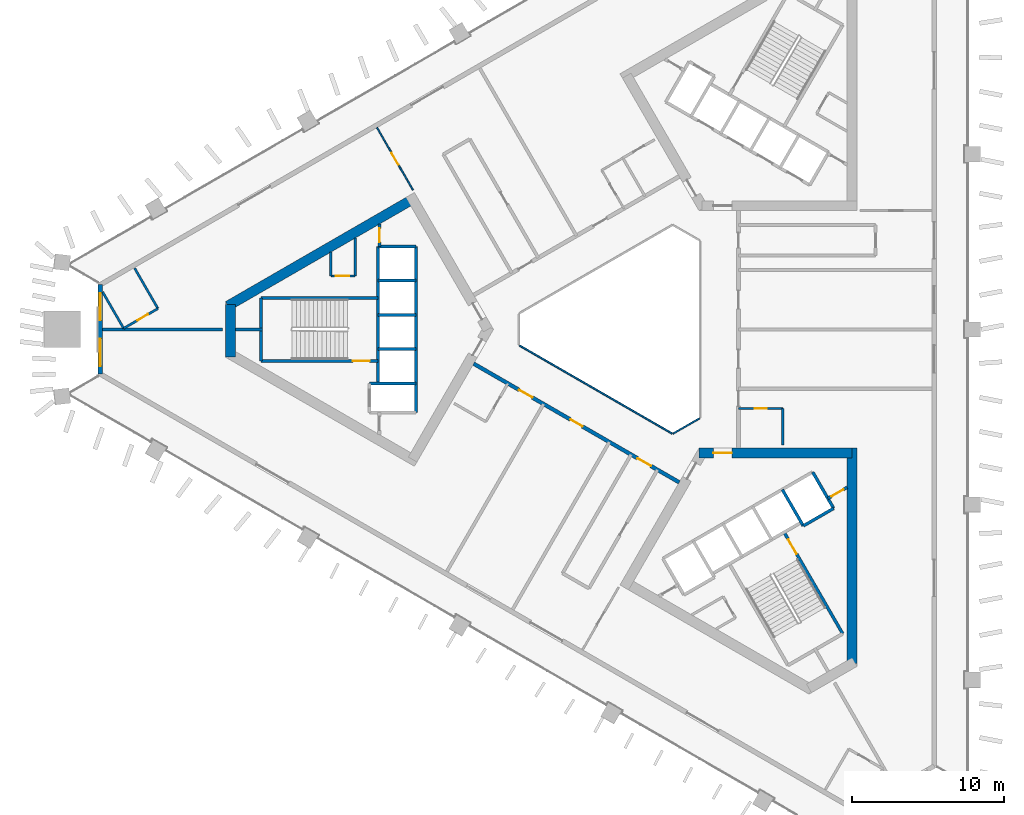
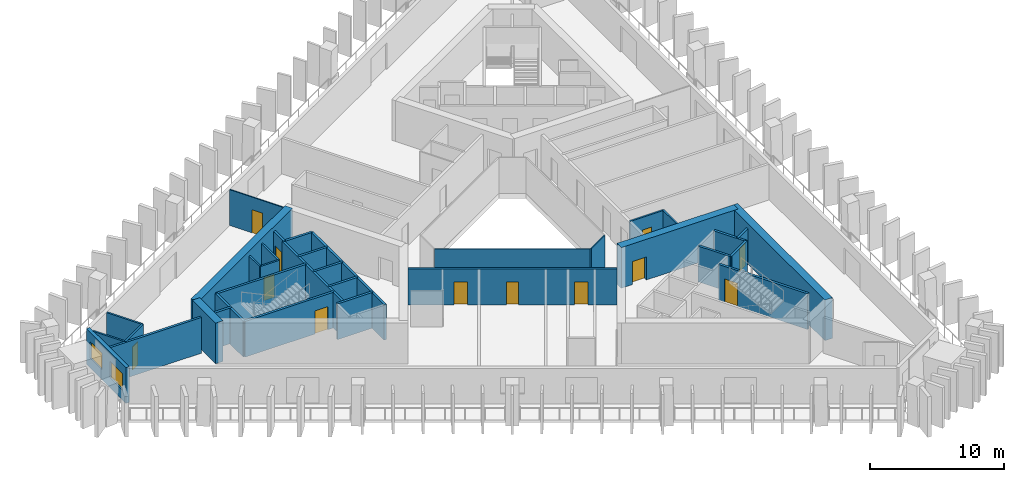
# One storey, part 3 of 10: 35 walls, 12 doors, 2 windows, 14 openings.
"""IFC4 building model written with IfcOpenShell, lengths in metres."""

import ifcopenshell
import ifcopenshell.guid

model = None  # the IFC model being written
_history = None  # IfcOwnerHistory: only IFC2X3 demands one
_inside = {}  # id of a spatial element -> (the spatial element, [elements in it])
_under = {}  # id of a project, library or spatial element -> (it, [spatial elements below it])
_declared = {}  # id of a project -> (the project, [libraries it declares])
_typed = {}  # id of a type object -> (the type object, [elements of that type])
_made_of = {}  # id of a material, layer set ... -> (it, [elements and type objects made of it])


def new_model(schema):
    """Start an empty IFC model of exactly this schema.

    Asked for "IFC4X3", IfcOpenShell would pick the latest addendum, in which some entities
    have other attributes; the version numbers below select the first issue.
    IFC2X3 requires an IfcOwnerHistory on every rooted entity: one is made here for all.
    """
    global model, _history
    if schema == "IFC4X3":
        model = ifcopenshell.file(schema_version=(4, 3, 0, 0))
    else:
        model = ifcopenshell.file(schema=schema)
    _inside.clear()
    _under.clear()
    _declared.clear()
    _typed.clear()
    _made_of.clear()
    _history = None
    if model.schema == "IFC2X3":
        org = make("IfcOrganization", Name="unknown")
        user = make(
            "IfcPersonAndOrganization",
            ThePerson=make("IfcPerson", FamilyName="unknown"),
            TheOrganization=org,
        )
        app = make(
            "IfcApplication",
            ApplicationDeveloper=org,
            Version="unknown",
            ApplicationFullName="unknown",
            ApplicationIdentifier="unknown",
        )
        _history = make(
            "IfcOwnerHistory",
            OwningUser=user,
            OwningApplication=app,
            ChangeAction="ADDED",
            CreationDate=0,
        )
    return model


def make(cls, **values):
    """One entity of the class cls with the attributes given. An attribute that is None is left unset."""
    return model.create_entity(
        cls, **{name: value for name, value in values.items() if value is not None}
    )


def rooted(cls, **values):
    """An entity with a GlobalId (a new one), such as an element, a storey or a relation."""
    return make(cls, GlobalId=ifcopenshell.guid.new(), OwnerHistory=_history, **values)


def si_unit(unit_type, name, prefix=None):
    """IfcSIUnit, for example si_unit("LENGTHUNIT", "METRE", prefix="MILLI")."""
    return make("IfcSIUnit", UnitType=unit_type, Prefix=prefix, Name=name)


def assignment(units):
    """IfcUnitAssignment: the units of a project."""
    return None if units is None else make("IfcUnitAssignment", Units=units)


def point(xyz):
    """IfcCartesianPoint."""
    return None if xyz is None else make("IfcCartesianPoint", Coordinates=xyz)


def direction(xyz):
    """IfcDirection."""
    return None if xyz is None else make("IfcDirection", DirectionRatios=xyz)


def frame(location, z_axis=None, x_axis=None):
    """IfcAxis2Placement3D, a coordinate frame: its origin and axes. An axis left out is left unset."""
    return make(
        "IfcAxis2Placement3D",
        Location=point(location),
        Axis=direction(z_axis),
        RefDirection=direction(x_axis),
    )


def frame_2d(location, x_axis=None):
    """IfcAxis2Placement2D, a coordinate frame in the plane: its origin and x axis."""
    return make(
        "IfcAxis2Placement2D", Location=point(location), RefDirection=direction(x_axis)
    )


def origin():
    """The frame at (0, 0, 0) with its axes left unset."""
    return frame((0.0, 0.0, 0.0))


def place(relative_to, where):
    """IfcLocalPlacement: puts the frame where relative to a parent placement (None: the world)."""
    return make(
        "IfcLocalPlacement", PlacementRelTo=relative_to, RelativePlacement=where
    )


def context(
    kind, dimensions, precision=None, world=None, true_north=None, identifier=None
):
    """IfcGeometricRepresentationContext, for example the 3D "Model" context."""
    return make(
        "IfcGeometricRepresentationContext",
        ContextIdentifier=identifier,
        ContextType=kind,
        CoordinateSpaceDimension=dimensions,
        Precision=precision,
        WorldCoordinateSystem=world,
        TrueNorth=true_north,
    )


def subcontext(parent, identifier, kind, view, scale=None):
    """IfcGeometricRepresentationSubContext, for example "Body" below "Model"."""
    return make(
        "IfcGeometricRepresentationSubContext",
        ContextIdentifier=identifier,
        ContextType=kind,
        ParentContext=parent,
        TargetScale=scale,
        TargetView=view,
    )


def project(units=None, contexts=None):
    """IfcProject with its units and contexts."""
    return rooted(
        "IfcProject",
        Name="project",
        RepresentationContexts=contexts,
        UnitsInContext=assignment(units),
    )


def spatial(cls, under=None, at=None, **own):
    """A site, building, storey or space (cls), placed at a placement, below another one or the project."""
    s = rooted(cls, ObjectPlacement=at, **own)
    if under is not None:
        _under.setdefault(under.id(), (under, []))[1].append(s)
    return s


def profile(cls, at=None, kind="AREA", **sizes):
    """A parametric profile (cls). Its sizes go by their IFC names, for example OverallWidth=200.0."""
    return make(cls, ProfileType=kind, Position=at, **sizes)


def rectangle(**sizes):
    """IfcRectangleProfileDef."""
    return profile("IfcRectangleProfileDef", **sizes)


def extrude(swept, where, along, depth):
    """IfcExtrudedAreaSolid: the profile swept, set in the frame where, extruded along a direction by depth."""
    return make(
        "IfcExtrudedAreaSolid",
        SweptArea=swept,
        Position=where,
        ExtrudedDirection=direction(along),
        Depth=depth,
    )


def shape(context_of_items, identifier, shape_type, items):
    """IfcShapeRepresentation: the items that make up one representation, for example the "Body"."""
    return make(
        "IfcShapeRepresentation",
        ContextOfItems=context_of_items,
        RepresentationIdentifier=identifier,
        RepresentationType=shape_type,
        Items=items,
    )


def material(Name=None, Category=None):
    """IfcMaterial."""
    return make("IfcMaterial", Name=Name, Category=Category)


def layer(
    of_material, thickness, ventilated=None, Name=None, Category=None, Priority=None
):
    """IfcMaterialLayer: one layer of a wall or slab, of a material (None: an air gap)."""
    return make(
        "IfcMaterialLayer",
        Material=of_material,
        LayerThickness=thickness,
        IsVentilated=ventilated,
        Name=Name,
        Category=Category,
        Priority=Priority,
    )


def layer_set(layers, Name=None):
    """IfcMaterialLayerSet."""
    return make("IfcMaterialLayerSet", MaterialLayers=layers, LayerSetName=Name)


def made_of(thing, what):
    """Note that an element or type object is made of a material, layer set ...; save() writes the relation."""
    if what is not None:
        _made_of.setdefault(what.id(), (what, []))[1].append(thing)
    return thing


def type_object(cls, material=None, **own):
    """A type object (cls), such as IfcWallType, which elements share."""
    return made_of(rooted(cls, **own), material)


def element(
    cls,
    number,
    at=None,
    inside=None,
    cuts=None,
    type_object=None,
    material=None,
    context=None,
    identifier="Body",
    shape_type=None,
    held_by="IfcProductDefinitionShape",
    body=None,
    shapes=None,
    **own,
):
    """One element of the class cls, such as IfcWall. Its Tag is "e" and its number.

    at: its placement. inside: the storey or other place that contains it. cuts: it is an
    opening in that element (IfcRelVoidsElement). A single representation is given by context,
    identifier, shape_type and body (its items); several are given by shapes. held_by: the class
    of the entity that holds the representations. save() writes the other relations.
    """
    e = rooted(cls, Tag="e%d" % number, ObjectPlacement=at, **own)
    if body is not None:
        shapes = [shape(context, identifier, shape_type, body)]
    if shapes is not None:
        e.Representation = make(held_by, Representations=shapes)
    if inside is not None:
        _inside.setdefault(inside.id(), (inside, []))[1].append(e)
    if cuts is not None:
        rooted(
            "IfcRelVoidsElement", RelatingBuildingElement=cuts, RelatedOpeningElement=e
        )
    if type_object is not None:
        _typed.setdefault(type_object.id(), (type_object, []))[1].append(e)
    return made_of(e, material)


def fill(opening, filler):
    """IfcRelFillsElement: the door or window that sits in an opening."""
    return rooted(
        "IfcRelFillsElement",
        RelatingOpeningElement=opening,
        RelatedBuildingElement=filler,
    )


def aggregate(whole, parts):
    """IfcRelAggregates: a whole, such as a stair, and the parts it consists of."""
    return rooted("IfcRelAggregates", RelatingObject=whole, RelatedObjects=parts)


def save(model, path):
    """Write the relations noted so far, then the file.

    IfcRelAggregates (storeys below a building ...), IfcRelContainedInSpatialStructure (elements
    in a storey), IfcRelDefinesByType, IfcRelAssociatesMaterial and IfcRelDeclares: one each for
    every whole, place, type object, material and project.
    """
    for whole, parts in _under.values():
        aggregate(whole, parts)
    for where, things in _inside.values():
        rooted(
            "IfcRelContainedInSpatialStructure",
            RelatedElements=things,
            RelatingStructure=where,
        )
    for kind, things in _typed.values():
        rooted("IfcRelDefinesByType", RelatedObjects=things, RelatingType=kind)
    for what, things in _made_of.values():
        rooted("IfcRelAssociatesMaterial", RelatedObjects=things, RelatingMaterial=what)
    for by, libraries in _declared.values():
        rooted("IfcRelDeclares", RelatingContext=by, RelatedDefinitions=libraries)
    model.write(path)


model = new_model("IFC4")

# Units and contexts
model_context = context("Model", 3, precision=1e-05, world=origin(), true_north=direction((0.0, 1.0)))
body_context = subcontext(model_context, "Body", "Model", "MODEL_VIEW")
ifc_project = project(units=[si_unit("LENGTHUNIT", "METRE"), si_unit("AREAUNIT", "SQUARE_METRE"), si_unit("VOLUMEUNIT", "CUBIC_METRE"), si_unit("PLANEANGLEUNIT", "RADIAN"), si_unit("MASSUNIT", "GRAM", prefix="KILO")], contexts=[model_context])

# Site, building, storey
site_placement = place(None, origin())
site = spatial("IfcSite", under=ifc_project, at=site_placement, CompositionType="ELEMENT")
building_placement = place(site_placement, origin())
building = spatial("IfcBuilding", under=site, at=building_placement, Name="Jabali Bay Hotel Tower and Convention Centre", CompositionType="ELEMENT")
storey_placement = place(building_placement, frame((0.0, 0.0, 106.800048828125)))
storey = spatial("IfcBuildingStorey", under=building, at=storey_placement, Name="L25", CompositionType="ELEMENT", Elevation=106.800048828125)

# Walls
ifc_material_1 = material(Name="Fire-resistant glazing", Category="glass")
ifc_layer_1 = layer(ifc_material_1, 0.10009765625)
ifc_layer_set_1 = layer_set([ifc_layer_1], Name="Fire-resistant glazing")
wall_type_1 = type_object("IfcWallType", Name="Atrium glazed screen 100", PredefinedType="PARTITIONING", material=ifc_layer_set_1)
wall_1_placement = place(storey_placement, frame((67.7021484375, 78.947998046875, 0.0), z_axis=(0.0, 0.0, 1.0), x_axis=(0.866026658274, -0.499997827154, 0.0)))
element("IfcWall", 1, at=wall_1_placement, inside=storey, type_object=wall_type_1, Name="Atrium screen 5 L25", PredefinedType="PARTITIONING", context=body_context, shape_type="SweptSolid", body=[
    extrude(rectangle(XDim=11.58837890625, YDim=0.10009765625, at=frame_2d((5.794189453125, 0.0))), origin(), (0.0, 0.0, 1.0), 3.25),
])
wall_2_placement = place(storey_placement, frame((77.7978515625, 73.15380859375, 0.0), z_axis=(0.0, 0.0, 1.0), x_axis=(0.866041268327, 0.499972520799, 0.0)))
element("IfcWall", 2, at=wall_2_placement, inside=storey, type_object=wall_type_1, Name="Atrium screen 6 L25", PredefinedType="PARTITIONING", context=body_context, shape_type="SweptSolid", body=[
    extrude(rectangle(XDim=2.0, YDim=0.10009765625, at=frame_2d((1.0, 0.0))), origin(), (0.0, 0.0, 1.0), 3.25),
])
ifc_material_2 = material(Name="Concrete C40", Category="concrete")
ifc_layer_2 = layer(ifc_material_2, 0.199951171875)
ifc_layer_set_2 = layer_set([ifc_layer_2], Name="Concrete C40")
wall_type_2 = type_object("IfcWallType", Name="Core partition wall 200", PredefinedType="PARTITIONING", material=ifc_layer_set_2)
wall_3_placement = place(storey_placement, frame((50.820068359375, 80.0, 0.0), z_axis=(0.0, 0.0, 1.0), x_axis=(-1.0, 0.0, 0.0)))
element("IfcWall", 3, at=wall_3_placement, inside=storey, type_object=wall_type_2, Name="Core wall 0.5 L25", PredefinedType="PARTITIONING", context=body_context, shape_type="SweptSolid", body=[
    extrude(rectangle(XDim=1.773193359375, YDim=0.199951171875, at=frame_2d((0.88671875, 0.0))), origin(), (0.0, 0.0, 1.0), 3.25),
])

# Wall, opening, door
wall_4_placement = place(storey_placement, frame((58.52001953125, 86.916748046875, 0.0), z_axis=(0.0, 0.0, 1.0), x_axis=(0.0, -1.0, 0.0)))
wall_4 = element("IfcWall", 4, at=wall_4_placement, inside=storey, type_object=wall_type_2, Name="Core wall 0.11 L25", PredefinedType="PARTITIONING", context=body_context, shape_type="SweptSolid", body=[
    extrude(rectangle(XDim=1.466796875, YDim=0.199951171875, at=frame_2d((0.7333984375, 0.0))), origin(), (0.0, 0.0, 1.0), 3.25),
])
opening_1_placement = place(wall_4_placement, frame((0.283447265625, 0.0, 0.0)))
opening_1 = element("IfcOpeningElement", 5, at=opening_1_placement, cuts=wall_4, Name="Opening D567", PredefinedType="OPENING", context=body_context, shape_type="SweptSolid", body=[
    extrude(rectangle(XDim=0.89990234375, YDim=2.10009765625, at=frame_2d((0.449951171875, 1.050048828125))), frame((0.0, 0.1103515625, 0.0), z_axis=(0.0, -1.0, 0.0), x_axis=(1.0, 0.0, 0.0)), (0.0, 0.0, 1.0), 0.220947265625),
])
ifc_material_3 = material(Name="Fire-rated steel door", Category="steel")
door_type_1 = type_object("IfcDoorType", Name="Vestibule fire door 900 x 2100", OperationType="NOTDEFINED", PredefinedType="NOTDEFINED", material=ifc_material_3)
door_1_placement = place(opening_1_placement, origin())
door_1 = element("IfcDoor", 6, at=door_1_placement, inside=storey, type_object=door_type_1, Name="Vestibule fire door D567", OperationType="SINGLE_SWING_LEFT", OverallHeight=2.10009765625, OverallWidth=0.89990234375, PredefinedType="NOTDEFINED", context=body_context, shape_type="SweptSolid", body=[
    extrude(rectangle(XDim=0.89990234375, YDim=2.10009765625, at=frame_2d((0.449951171875, 1.050048828125))), frame((0.0, 0.02490234375, 0.0), z_axis=(0.0, -1.0, 0.0), x_axis=(1.0, 0.0, 0.0)), (0.0, 0.0, 1.0), 0.050048828125),
])
fill(opening_1, door_1)

wall_5_placement = place(storey_placement, frame((87.964599609375, 68.89453125, 0.0), z_axis=(0.0, 0.0, 1.0), x_axis=(0.866054810376, 0.49994906283, 0.0)))
wall_5 = element("IfcWall", 7, at=wall_5_placement, inside=storey, type_object=wall_type_2, Name="Core wall 2.12 L25", PredefinedType="PARTITIONING", context=body_context, shape_type="SweptSolid", body=[
    extrude(rectangle(XDim=1.461181640625, YDim=0.199951171875, at=frame_2d((0.73046875, 0.0))), origin(), (0.0, 0.0, 1.0), 3.25),
])
opening_2_placement = place(wall_5_placement, frame((0.280517578125, 0.0, 0.0)))
opening_2 = element("IfcOpeningElement", 8, at=opening_2_placement, cuts=wall_5, Name="Opening D578", PredefinedType="OPENING", context=body_context, shape_type="SweptSolid", body=[
    extrude(rectangle(XDim=0.89990234375, YDim=2.10009765625, at=frame_2d((0.449951171875, 1.050048828125))), frame((0.0, 0.1103515625, 0.0), z_axis=(0.0, -1.0, 0.0), x_axis=(1.0, 0.0, 0.0)), (0.0, 0.0, 1.0), 0.220947265625),
])
door_2_placement = place(opening_2_placement, origin())
door_2 = element("IfcDoor", 9, at=door_2_placement, inside=storey, type_object=door_type_1, Name="Vestibule fire door D578", OperationType="SINGLE_SWING_LEFT", OverallHeight=2.10009765625, OverallWidth=0.89990234375, PredefinedType="NOTDEFINED", context=body_context, shape_type="SweptSolid", body=[
    extrude(rectangle(XDim=0.89990234375, YDim=2.10009765625, at=frame_2d((0.449951171875, 1.050048828125))), frame((0.0, 0.02490234375, 0.0), z_axis=(0.0, -1.0, 0.0), x_axis=(1.0, 0.0, 0.0)), (0.0, 0.0, 1.0), 0.050048828125),
])
fill(opening_2, door_2)

ifc_material_4 = material(Name="Fire-rated board partition")
ifc_layer_3 = layer(ifc_material_4, 0.14990234375)
ifc_layer_set_3 = layer_set([ifc_layer_3], Name="Fire-rated board partition")
wall_type_3 = type_object("IfcWallType", Name="Core room partition 150", PredefinedType="PARTITIONING", material=ifc_layer_set_3)
wall_6_placement = place(storey_placement, frame((56.919921875, 83.5, 0.0), z_axis=(0.0, 0.0, 1.0), x_axis=(-1.0, 0.0, 0.0)))
wall_6 = element("IfcWall", 10, at=wall_6_placement, inside=storey, type_object=wall_type_3, Name="Core wall 0.1 L25", PredefinedType="PARTITIONING", context=body_context, shape_type="SweptSolid", body=[
    extrude(rectangle(XDim=1.599853515625, YDim=0.14990234375, at=frame_2d((0.7998046875, 0.0))), origin(), (0.0, 0.0, 1.0), 3.25),
])
opening_3_placement = place(wall_6_placement, frame((0.387451171875, 0.0, 0.0)))
opening_3 = element("IfcOpeningElement", 11, at=opening_3_placement, cuts=wall_6, Name="Opening D569", PredefinedType="OPENING", context=body_context, shape_type="SweptSolid", body=[
    extrude(rectangle(XDim=0.89990234375, YDim=2.10009765625, at=frame_2d((0.449951171875, 1.050048828125))), frame((0.0, 0.08544921875, 0.0), z_axis=(0.0, -1.0, 0.0), x_axis=(1.0, 0.0, 0.0)), (0.0, 0.0, 1.0), 0.1708984375),
])
door_type_2 = type_object("IfcDoorType", Name="Core room door 900 x 2100", OperationType="NOTDEFINED", PredefinedType="NOTDEFINED", material=ifc_material_3)
door_3_placement = place(opening_3_placement, origin())
door_3 = element("IfcDoor", 12, at=door_3_placement, inside=storey, type_object=door_type_2, Name="Core room door D569", OperationType="SINGLE_SWING_LEFT", OverallHeight=2.10009765625, OverallWidth=0.89990234375, PredefinedType="NOTDEFINED", context=body_context, shape_type="SweptSolid", body=[
    extrude(rectangle(XDim=0.89990234375, YDim=2.10009765625, at=frame_2d((0.449951171875, 1.050048828125))), frame((0.0, 0.02490234375, 0.0), z_axis=(0.0, -1.0, 0.0), x_axis=(1.0, 0.0, 0.0)), (0.0, 0.0, 1.0), 0.050048828125),
])
fill(opening_3, door_3)

# Walls
wall_7_placement = place(storey_placement, frame((56.919921875, 85.992919921875, 0.0), z_axis=(0.0, 0.0, 1.0), x_axis=(0.0, -1.0, 0.0)))
element("IfcWall", 13, at=wall_7_placement, inside=storey, type_object=wall_type_3, Name="Core wall 0.15 L25", PredefinedType="PARTITIONING", context=body_context, shape_type="SweptSolid", body=[
    extrude(rectangle(XDim=2.492919921875, YDim=0.14990234375, at=frame_2d((1.24658203125, 0.0))), origin(), (0.0, 0.0, 1.0), 3.25),
])
wall_8_placement = place(storey_placement, frame((55.320068359375, 85.069091796875, 0.0), z_axis=(0.0, 0.0, 1.0), x_axis=(0.0, -1.0, 0.0)))
element("IfcWall", 14, at=wall_8_placement, inside=storey, type_object=wall_type_3, Name="Core wall 0.16 L25", PredefinedType="PARTITIONING", context=body_context, shape_type="SweptSolid", body=[
    extrude(rectangle(XDim=1.569091796875, YDim=0.14990234375, at=frame_2d((0.78466796875, 0.0))), origin(), (0.0, 0.0, 1.0), 3.25),
])
ifc_layer_4 = layer(ifc_material_2, 0.199951171875)
ifc_layer_set_4 = layer_set([ifc_layer_4], Name="Concrete C40")
wall_type_4 = type_object("IfcWallType", Name="Core stair wall 200", PredefinedType="SOLIDWALL", material=ifc_layer_set_4)
for number, where, z_axis, x_axis, name in (
    (15, (60.89990234375, 85.449951171875, 0.0), (0.0, 0.0, 1.0), (-1.0, 0.0, 0.0), "Core wall 0.0 L25"),
    (16, (60.89990234375, 83.199951171875, 0.0), (0.0, 0.0, 1.0), (-1.0, 0.0, 0.0), "Core wall 0.2 L25"),
):
    element("IfcWall", number, at=place(storey_placement, frame(where, z_axis=z_axis, x_axis=x_axis)), inside=storey, type_object=wall_type_4, Name=name, PredefinedType="SOLIDWALL", context=body_context, shape_type="SweptSolid", body=[
        extrude(rectangle(XDim=2.47998046875, YDim=0.199951171875, at=frame_2d((1.239990234375, 0.0))), origin(), (0.0, 0.0, 1.0), 3.25),
    ])
wall_9_placement = place(storey_placement, frame((58.419921875, 82.074951171875, 0.0), z_axis=(0.0, 0.0, 1.0), x_axis=(-1.0, 0.0, 0.0)))
element("IfcWall", 17, at=wall_9_placement, inside=storey, type_object=wall_type_4, Name="Core wall 0.3 L25", PredefinedType="SOLIDWALL", context=body_context, shape_type="SweptSolid", body=[
    extrude(rectangle(XDim=7.699951171875, YDim=0.199951171875, at=frame_2d((3.85009765625, 0.0))), origin(), (0.0, 0.0, 1.0), 3.25),
])
for number, where, z_axis, x_axis, name in (
    (18, (60.89990234375, 80.949951171875, 0.0), (0.0, 0.0, 1.0), (-1.0, 0.0, 0.0), "Core wall 0.4 L25"),
    (19, (60.89990234375, 78.699951171875, 0.0), (0.0, 0.0, 1.0), (-1.0, 0.0, 0.0), "Core wall 0.6 L25"),
):
    element("IfcWall", number, at=place(storey_placement, frame(where, z_axis=z_axis, x_axis=x_axis)), inside=storey, type_object=wall_type_4, Name=name, PredefinedType="SOLIDWALL", context=body_context, shape_type="SweptSolid", body=[
        extrude(rectangle(XDim=2.47998046875, YDim=0.199951171875, at=frame_2d((1.239990234375, 0.0))), origin(), (0.0, 0.0, 1.0), 3.25),
    ])

# Wall, opening, door
wall_10_placement = place(storey_placement, frame((58.419921875, 77.925048828125, 0.0), z_axis=(0.0, 0.0, 1.0), x_axis=(-1.0, 0.0, 0.0)))
wall_10 = element("IfcWall", 20, at=wall_10_placement, inside=storey, type_object=wall_type_4, Name="Core wall 0.7 L25", PredefinedType="SOLIDWALL", context=body_context, shape_type="SweptSolid", body=[
    extrude(rectangle(XDim=7.699951171875, YDim=0.199951171875, at=frame_2d((3.85009765625, 0.0))), origin(), (0.0, 0.0, 1.0), 3.25),
])
opening_4_placement = place(wall_10_placement, frame((0.550048828125, 0.0, 0.0)))
opening_4 = element("IfcOpeningElement", 21, at=opening_4_placement, cuts=wall_10, Name="Opening D568", PredefinedType="OPENING", context=body_context, shape_type="SweptSolid", body=[
    extrude(rectangle(XDim=1.10009765625, YDim=2.10009765625, at=frame_2d((0.550048828125, 1.050048828125))), frame((0.0, 0.1103515625, 0.0), z_axis=(0.0, -1.0, 0.0), x_axis=(1.0, 0.0, 0.0)), (0.0, 0.0, 1.0), 0.220947265625),
])
door_type_3 = type_object("IfcDoorType", Name="Stair fire door 1100 x 2100", OperationType="NOTDEFINED", PredefinedType="NOTDEFINED", material=ifc_material_3)
door_4_placement = place(opening_4_placement, origin())
door_4 = element("IfcDoor", 22, at=door_4_placement, inside=storey, type_object=door_type_3, Name="Stair fire door D568", OperationType="SINGLE_SWING_RIGHT", OverallHeight=2.10009765625, OverallWidth=1.10009765625, PredefinedType="NOTDEFINED", context=body_context, shape_type="SweptSolid", body=[
    extrude(rectangle(XDim=1.10009765625, YDim=2.10009765625, at=frame_2d((0.550048828125, 1.050048828125))), frame((0.0, 0.02490234375, 0.0), z_axis=(0.0, -1.0, 0.0), x_axis=(1.0, 0.0, 0.0)), (0.0, 0.0, 1.0), 0.050048828125),
])
fill(opening_4, door_4)

# Walls
wall_11_placement = place(storey_placement, frame((60.89990234375, 76.449951171875, 0.0), z_axis=(0.0, 0.0, 1.0), x_axis=(-1.0, 0.0, 0.0)))
element("IfcWall", 23, at=wall_11_placement, inside=storey, type_object=wall_type_4, Name="Core wall 0.8 L25", PredefinedType="SOLIDWALL", context=body_context, shape_type="SweptSolid", body=[
    extrude(rectangle(XDim=3.0498046875, YDim=0.199951171875, at=frame_2d((1.52490234375, 0.0))), origin(), (0.0, 0.0, 1.0), 3.25),
])
wall_12_placement = place(storey_placement, frame((60.89990234375, 85.449951171875, 0.0), z_axis=(0.0, 0.0, 1.0), x_axis=(0.0, -1.0, 0.0)))
element("IfcWall", 24, at=wall_12_placement, inside=storey, type_object=wall_type_4, Name="Core wall 0.10 L25", PredefinedType="SOLIDWALL", context=body_context, shape_type="SweptSolid", body=[
    extrude(rectangle(XDim=10.89990234375, YDim=0.199951171875, at=frame_2d((5.449951171875, 0.0))), origin(), (0.0, 0.0, 1.0), 3.25),
])
wall_13_placement = place(storey_placement, frame((58.419921875, 85.449951171875, 0.0), z_axis=(0.0, 0.0, 1.0), x_axis=(0.0, -1.0, 0.0)))
element("IfcWall", 25, at=wall_13_placement, inside=storey, type_object=wall_type_4, Name="Core wall 0.13 L25", PredefinedType="SOLIDWALL", context=body_context, shape_type="SweptSolid", body=[
    extrude(rectangle(XDim=9.0, YDim=0.199951171875, at=frame_2d((4.5, 0.0))), origin(), (0.0, 0.0, 1.0), 3.25),
])
wall_14_placement = place(storey_placement, frame((50.719970703125, 82.074951171875, 0.0), z_axis=(0.0, 0.0, 1.0), x_axis=(0.0, -1.0, 0.0)))
element("IfcWall", 26, at=wall_14_placement, inside=storey, type_object=wall_type_4, Name="Core wall 0.17 L25", PredefinedType="SOLIDWALL", context=body_context, shape_type="SweptSolid", body=[
    extrude(rectangle(XDim=4.14990234375, YDim=0.199951171875, at=frame_2d((2.074951171875, 0.0))), origin(), (0.0, 0.0, 1.0), 3.25),
])

# Wall, opening, door
wall_15_placement = place(storey_placement, frame((85.0869140625, 66.6787109375, 0.0), z_axis=(0.0, 0.0, 1.0), x_axis=(0.500019787375, -0.866013979237, 0.0)))
wall_15 = element("IfcWall", 27, at=wall_15_placement, inside=storey, type_object=wall_type_4, Name="Core wall 2.7 L25", PredefinedType="SOLIDWALL", context=body_context, shape_type="SweptSolid", body=[
    extrude(rectangle(XDim=7.699951171875, YDim=0.199951171875, at=frame_2d((3.85009765625, 0.0))), origin(), (0.0, 0.0, 1.0), 3.25),
])
opening_5_placement = place(wall_15_placement, frame((0.550048828125, 0.0, 0.0)))
opening_5 = element("IfcOpeningElement", 28, at=opening_5_placement, cuts=wall_15, Name="Opening D580", PredefinedType="OPENING", context=body_context, shape_type="SweptSolid", body=[
    extrude(rectangle(XDim=1.10009765625, YDim=2.10009765625, at=frame_2d((0.550048828125, 1.050048828125))), frame((0.0, 0.1103515625, 0.0), z_axis=(0.0, -1.0, 0.0), x_axis=(1.0, 0.0, 0.0)), (0.0, 0.0, 1.0), 0.220947265625),
])
door_5_placement = place(opening_5_placement, origin())
door_5 = element("IfcDoor", 29, at=door_5_placement, inside=storey, type_object=door_type_3, Name="Stair fire door D580", OperationType="SINGLE_SWING_RIGHT", OverallHeight=2.10009765625, OverallWidth=1.10009765625, PredefinedType="NOTDEFINED", context=body_context, shape_type="SweptSolid", body=[
    extrude(rectangle(XDim=1.10009765625, YDim=2.10009765625, at=frame_2d((0.550048828125, 1.050048828125))), frame((0.0, 0.02490234375, 0.0), z_axis=(0.0, -1.0, 0.0), x_axis=(1.0, 0.0, 0.0)), (0.0, 0.0, 1.0), 0.050048828125),
])
fill(opening_5, door_5)

# Walls
for number, where, z_axis, x_axis, name in (
    (30, (84.972900390625, 69.4765625, 0.0), (0.0, 0.0, 1.0), (0.499996545922, -0.866027397988, 0.0), "Core wall 2.8 L25"),
    (31, (86.964599609375, 70.62646484375, 0.0), (0.0, 0.0, 1.0), (0.499996545922, -0.866027397988, 0.0), "Core wall 2.9 L25"),
):
    element("IfcWall", number, at=place(storey_placement, frame(where, z_axis=z_axis, x_axis=x_axis)), inside=storey, type_object=wall_type_4, Name=name, PredefinedType="SOLIDWALL", context=body_context, shape_type="SweptSolid", body=[
        extrude(rectangle(XDim=2.75, YDim=0.199951171875, at=frame_2d((1.375, 0.0))), origin(), (0.0, 0.0, 1.0), 3.25),
    ])
wall_16_placement = place(storey_placement, frame((86.347900390625, 67.094970703125, 0.0), z_axis=(0.0, 0.0, 1.0), x_axis=(0.86602648383, 0.499998129301, 0.0)))
element("IfcWall", 32, at=wall_16_placement, inside=storey, type_object=wall_type_4, Name="Core wall 2.15 L25", PredefinedType="SOLIDWALL", context=body_context, shape_type="SweptSolid", body=[
    extrude(rectangle(XDim=2.2998046875, YDim=0.199951171875, at=frame_2d((1.14990234375, 0.0))), origin(), (0.0, 0.0, 1.0), 3.25),
])
ifc_material_5 = material(Name="Concrete C60", Category="concrete")
ifc_layer_5 = layer(ifc_material_5, 0.64990234375)
ifc_layer_set_5 = layer_set([ifc_layer_5], Name="Concrete C60")
wall_type_5 = type_object("IfcWallType", Name="Core wall 650", PredefinedType="SHEAR", material=ifc_layer_set_5)
wall_17_placement = place(storey_placement, frame((60.691162109375, 88.54541015625, 0.0), z_axis=(0.0, 0.0, 1.0), x_axis=(-0.866030607649, -0.499990986534, 0.0)))
element("IfcWall", 33, at=wall_17_placement, inside=storey, type_object=wall_type_5, Name="Core wall 1.2 L25", PredefinedType="SHEAR", context=body_context, shape_type="SweptSolid", body=[
    extrude(rectangle(XDim=14.008544921875, YDim=0.64990234375, at=frame_2d((7.00439453125, 0.0))), origin(), (0.0, 0.0, 1.0), 3.699951171875),
])
wall_18_placement = place(storey_placement, frame((48.721923828125, 81.635009765625, 0.0), z_axis=(0.0, 0.0, 1.0), x_axis=(0.0, -1.0, 0.0)))
element("IfcWall", 34, at=wall_18_placement, inside=storey, type_object=wall_type_5, Name="Core wall 1.3 L25", PredefinedType="SHEAR", context=body_context, shape_type="SweptSolid", body=[
    extrude(rectangle(XDim=3.457763671875, YDim=0.64990234375, at=frame_2d((1.72900390625, 0.0))), origin(), (0.0, 0.0, 1.0), 3.699951171875),
])
wall_19_placement = place(storey_placement, frame((89.554931640625, 58.06005859375, 0.0), z_axis=(0.0, 0.0, 1.0), x_axis=(0.0, 1.0, 0.0)))
element("IfcWall", 35, at=wall_19_placement, inside=storey, type_object=wall_type_5, Name="Core wall 3.4 L25", PredefinedType="SHEAR", context=body_context, shape_type="SweptSolid", body=[
    extrude(rectangle(XDim=14.145751953125, YDim=0.64990234375, at=frame_2d((7.07275390625, 0.0))), origin(), (0.0, 0.0, 1.0), 3.699951171875),
])

# Wall, opening, door
wall_20_placement = place(storey_placement, frame((89.554931640625, 71.880859375, 0.0), z_axis=(0.0, 0.0, 1.0), x_axis=(-1.0, 0.0, 0.0)))
wall_20 = element("IfcWall", 36, at=wall_20_placement, inside=storey, type_object=wall_type_5, Name="Core wall 3.5 L25", PredefinedType="SHEAR", context=body_context, shape_type="SweptSolid", body=[
    extrude(rectangle(XDim=10.054931640625, YDim=0.64990234375, at=frame_2d((5.02734375, 0.0))), origin(), (0.0, 0.0, 1.0), 3.699951171875),
])
opening_6_placement = place(wall_20_placement, frame((7.905029296875, 0.0, 0.0)))
opening_6 = element("IfcOpeningElement", 37, at=opening_6_placement, cuts=wall_20, Name="Opening D577", PredefinedType="OPENING", context=body_context, shape_type="SweptSolid", body=[
    extrude(rectangle(XDim=1.199951171875, YDim=2.10009765625, at=frame_2d((0.60009765625, 1.050048828125))), frame((0.0, 0.33544921875, 0.0), z_axis=(0.0, -1.0, 0.0), x_axis=(1.0, 0.0, 0.0)), (0.0, 0.0, 1.0), 0.6708984375),
])
door_type_4 = type_object("IfcDoorType", Name="Corridor end fire door 1200 x 2100", OperationType="NOTDEFINED", PredefinedType="NOTDEFINED", material=ifc_material_3)
door_6_placement = place(opening_6_placement, origin())
door_6 = element("IfcDoor", 38, at=door_6_placement, inside=storey, type_object=door_type_4, Name="Corridor end fire door D577", OperationType="SINGLE_SWING_LEFT", OverallHeight=2.10009765625, OverallWidth=1.199951171875, PredefinedType="NOTDEFINED", context=body_context, shape_type="SweptSolid", body=[
    extrude(rectangle(XDim=1.199951171875, YDim=2.10009765625, at=frame_2d((0.60009765625, 1.050048828125))), frame((0.0, 0.02490234375, 0.0), z_axis=(0.0, -1.0, 0.0), x_axis=(1.0, 0.0, 0.0)), (0.0, 0.0, 1.0), 0.050048828125),
])
fill(opening_6, door_6)

# Wall, openings, doors
ifc_layer_6 = layer(ifc_material_5, 0.25)
ifc_layer_set_6 = layer_set([ifc_layer_6], Name="Concrete C60")
wall_type_6 = type_object("IfcWallType", Name="Corridor wall 250", PredefinedType="SHEAR", material=ifc_layer_set_6)
wall_21_placement = place(storey_placement, frame((64.699951171875, 77.748291015625, 0.0), z_axis=(0.0, 0.0, 1.0), x_axis=(0.866026492143, -0.499998114903, 0.0)))
wall_21 = element("IfcWall", 39, at=wall_21_placement, inside=storey, type_object=wall_type_6, Name="Corridor wall 3 L25", PredefinedType="SHEAR", context=body_context, shape_type="SweptSolid", body=[
    extrude(rectangle(XDim=15.58837890625, YDim=0.25, at=frame_2d((7.794189453125, 0.0))), origin(), (0.0, 0.0, 1.0), 3.25),
])
opening_7_placement = place(wall_21_placement, frame((3.449951171875, 0.0, 0.0)))
opening_7 = element("IfcOpeningElement", 40, at=opening_7_placement, cuts=wall_21, Name="Opening 2517", PredefinedType="OPENING", context=body_context, shape_type="SweptSolid", body=[
    extrude(rectangle(XDim=1.0, YDim=2.10009765625, at=frame_2d((0.5, 1.050048828125))), frame((0.0, 0.135498046875, 0.0), z_axis=(0.0, -1.0, 0.0), x_axis=(1.0, 0.0, 0.0)), (0.0, 0.0, 1.0), 0.27099609375),
])
opening_8_placement = place(wall_21_placement, frame((7.34423828125, 0.0, 0.0)))
opening_8 = element("IfcOpeningElement", 41, at=opening_8_placement, cuts=wall_21, Name="Opening 2518", PredefinedType="OPENING", context=body_context, shape_type="SweptSolid", body=[
    extrude(rectangle(XDim=0.89990234375, YDim=2.10009765625, at=frame_2d((0.449951171875, 1.050048828125))), frame((0.0, 0.135498046875, 0.0), z_axis=(0.0, -1.0, 0.0), x_axis=(1.0, 0.0, 0.0)), (0.0, 0.0, 1.0), 0.27099609375),
])
opening_9_placement = place(wall_21_placement, frame((12.4384765625, 0.0, 0.0)))
opening_9 = element("IfcOpeningElement", 42, at=opening_9_placement, cuts=wall_21, Name="Opening 2519", PredefinedType="OPENING", context=body_context, shape_type="SweptSolid", body=[
    extrude(rectangle(XDim=1.0, YDim=2.10009765625, at=frame_2d((0.5, 1.050048828125))), frame((0.0, 0.135498046875, 0.0), z_axis=(0.0, -1.0, 0.0), x_axis=(1.0, 0.0, 0.0)), (0.0, 0.0, 1.0), 0.27099609375),
])
ifc_material_6 = material(Name="Timber", Category="wood")
door_type_5 = type_object("IfcDoorType", Name="Guest room door 1000 x 2100", OperationType="NOTDEFINED", PredefinedType="NOTDEFINED", material=ifc_material_6)
door_7_placement = place(opening_7_placement, origin())
door_7 = element("IfcDoor", 43, at=door_7_placement, inside=storey, type_object=door_type_5, Name="Door 2517", OperationType="SINGLE_SWING_LEFT", OverallHeight=2.10009765625, OverallWidth=1.0, PredefinedType="NOTDEFINED", context=body_context, shape_type="SweptSolid", body=[
    extrude(rectangle(XDim=1.0, YDim=2.10009765625, at=frame_2d((0.5, 1.050048828125))), frame((0.0, 0.02490234375, 0.0), z_axis=(0.0, -1.0, 0.0), x_axis=(1.0, 0.0, 0.0)), (0.0, 0.0, 1.0), 0.050048828125),
])
fill(opening_7, door_7)
door_8_placement = place(opening_9_placement, origin())
door_8 = element("IfcDoor", 44, at=door_8_placement, inside=storey, type_object=door_type_5, Name="Door 2519", OperationType="SINGLE_SWING_RIGHT", OverallHeight=2.10009765625, OverallWidth=1.0, PredefinedType="NOTDEFINED", context=body_context, shape_type="SweptSolid", body=[
    extrude(rectangle(XDim=1.0, YDim=2.10009765625, at=frame_2d((0.5, 1.050048828125))), frame((0.0, 0.02490234375, 0.0), z_axis=(0.0, -1.0, 0.0), x_axis=(1.0, 0.0, 0.0)), (0.0, 0.0, 1.0), 0.050048828125),
])
fill(opening_9, door_8)
door_type_6 = type_object("IfcDoorType", Name="Internal door 900 x 2100", OperationType="NOTDEFINED", PredefinedType="NOTDEFINED", material=ifc_material_6)
door_9_placement = place(opening_8_placement, origin())
door_9 = element("IfcDoor", 45, at=door_9_placement, inside=storey, type_object=door_type_6, Name="Door 2518", OperationType="SINGLE_SWING_LEFT", OverallHeight=2.10009765625, OverallWidth=0.89990234375, PredefinedType="NOTDEFINED", context=body_context, shape_type="SweptSolid", body=[
    extrude(rectangle(XDim=0.89990234375, YDim=2.10009765625, at=frame_2d((0.449951171875, 1.050048828125))), frame((0.0, 0.02490234375, 0.0), z_axis=(0.0, -1.0, 0.0), x_axis=(1.0, 0.0, 0.0)), (0.0, 0.0, 1.0), 0.050048828125),
])
fill(opening_8, door_9)

# Wall, openings, windows
ifc_layer_7 = layer(ifc_material_2, 0.300048828125)
ifc_layer_set_7 = layer_set([ifc_layer_7], Name="Concrete C40")
wall_type_7 = type_object("IfcWallType", Name="External wall 300", PredefinedType="SOLIDWALL", material=ifc_layer_set_7)
wall_22_placement = place(storey_placement, frame((40.1845703125, 77.06494140625, 0.0), z_axis=(0.0, 0.0, 1.0), x_axis=(0.0, 1.0, 0.0)))
wall_22 = element("IfcWall", 46, at=wall_22_placement, inside=storey, type_object=wall_type_7, Name="External wall west chamfer L25", PredefinedType="SOLIDWALL", context=body_context, shape_type="SweptSolid", body=[
    extrude(rectangle(XDim=5.8701171875, YDim=0.300048828125, at=frame_2d((2.93505859375, 0.0))), origin(), (0.0, 0.0, 1.0), 3.25),
])
opening_10_placement = place(wall_22_placement, frame((3.5224609375, 0.0, 0.89990234375)))
opening_10 = element("IfcOpeningElement", 47, at=opening_10_placement, cuts=wall_22, Name="Opening W1", PredefinedType="OPENING", context=body_context, shape_type="SweptSolid", body=[
    extrude(rectangle(XDim=1.800048828125, YDim=1.5, at=frame_2d((0.89990234375, 0.75))), frame((0.0, 0.16064453125, 0.0), z_axis=(0.0, -1.0, 0.0), x_axis=(1.0, 0.0, 0.0)), (0.0, 0.0, 1.0), 0.321044921875),
])
opening_11_placement = place(wall_22_placement, frame((0.524658203125, 0.0, 0.89990234375)))
opening_11 = element("IfcOpeningElement", 48, at=opening_11_placement, cuts=wall_22, Name="Opening W1", PredefinedType="OPENING", context=body_context, shape_type="SweptSolid", body=[
    extrude(rectangle(XDim=1.800048828125, YDim=1.5, at=frame_2d((0.89990234375, 0.75))), frame((0.0, 0.16064453125, 0.0), z_axis=(0.0, -1.0, 0.0), x_axis=(1.0, 0.0, 0.0)), (0.0, 0.0, 1.0), 0.321044921875),
])
ifc_material_7 = material(Name="Glass", Category="glass")
window_type = type_object("IfcWindowType", Name="Window 1800 x 1500", PartitioningType="SINGLE_PANEL", PredefinedType="WINDOW", material=ifc_material_7)
window_1_placement = place(opening_10_placement, origin())
window_1 = element("IfcWindow", 49, at=window_1_placement, inside=storey, type_object=window_type, Name="Window 2505", OverallHeight=1.5, OverallWidth=1.800048828125, PartitioningType="SINGLE_PANEL", PredefinedType="WINDOW", context=body_context, shape_type="SweptSolid", body=[
    extrude(rectangle(XDim=1.800048828125, YDim=1.5, at=frame_2d((0.89990234375, 0.75))), frame((0.0, 0.030029296875, 0.0), z_axis=(0.0, -1.0, 0.0), x_axis=(1.0, 0.0, 0.0)), (0.0, 0.0, 1.0), 0.06005859375),
])
fill(opening_10, window_1)
window_2_placement = place(opening_11_placement, origin())
window_2 = element("IfcWindow", 50, at=window_2_placement, inside=storey, type_object=window_type, Name="Window 2507", OverallHeight=1.5, OverallWidth=1.800048828125, PartitioningType="SINGLE_PANEL", PredefinedType="WINDOW", context=body_context, shape_type="SweptSolid", body=[
    extrude(rectangle(XDim=1.800048828125, YDim=1.5, at=frame_2d((0.89990234375, 0.75))), frame((0.0, 0.030029296875, 0.0), z_axis=(0.0, -1.0, 0.0), x_axis=(1.0, 0.0, 0.0)), (0.0, 0.0, 1.0), 0.06005859375),
])
fill(opening_11, window_2)

# Wall, opening, door
ifc_material_8 = material(Name="Plasterboard on steel stud", Category="steel")
ifc_layer_8 = layer(ifc_material_8, 0.10009765625)
ifc_layer_set_8 = layer_set([ifc_layer_8], Name="Plasterboard on steel stud")
wall_type_8 = type_object("IfcWallType", Name="Partition 100 unit", PredefinedType="PARTITIONING", material=ifc_layer_set_8)
wall_23_placement = place(storey_placement, frame((58.349853515625, 93.250732421875, 0.0), z_axis=(0.0, 0.0, 1.0), x_axis=(0.499959680857, -0.866048680801, 0.0)))
wall_23 = element("IfcWall", 51, at=wall_23_placement, inside=storey, type_object=wall_type_8, Name="Partition P02 L25 020", PredefinedType="PARTITIONING", context=body_context, shape_type="SweptSolid", body=[
    extrude(rectangle(XDim=4.7216796875, YDim=0.10009765625, at=frame_2d((2.36083984375, 0.0))), origin(), (0.0, 0.0, 1.0), 3.25),
])
opening_12_placement = place(wall_23_placement, frame((1.910888671875, 0.0, 0.0)))
opening_12 = element("IfcOpeningElement", 52, at=opening_12_placement, cuts=wall_23, Name="Opening 2513", PredefinedType="OPENING", context=body_context, shape_type="SweptSolid", body=[
    extrude(rectangle(XDim=0.89990234375, YDim=2.10009765625, at=frame_2d((0.449951171875, 1.050048828125))), frame((0.0, 0.060546875, 0.0), z_axis=(0.0, -1.0, 0.0), x_axis=(1.0, 0.0, 0.0)), (0.0, 0.0, 1.0), 0.12109375),
])
door_10_placement = place(opening_12_placement, origin())
door_10 = element("IfcDoor", 53, at=door_10_placement, inside=storey, type_object=door_type_6, Name="Door 2513", OperationType="SINGLE_SWING_RIGHT", OverallHeight=2.10009765625, OverallWidth=0.89990234375, PredefinedType="NOTDEFINED", context=body_context, shape_type="SweptSolid", body=[
    extrude(rectangle(XDim=0.89990234375, YDim=2.10009765625, at=frame_2d((0.449951171875, 1.050048828125))), frame((0.0, 0.02490234375, 0.0), z_axis=(0.0, -1.0, 0.0), x_axis=(1.0, 0.0, 0.0)), (0.0, 0.0, 1.0), 0.050048828125),
])
fill(opening_12, door_10)

ifc_layer_9 = layer(ifc_material_8, 0.14990234375)
ifc_layer_set_9 = layer_set([ifc_layer_9], Name="Plasterboard on steel stud")
wall_type_9 = type_object("IfcWallType", Name="Partition 150 wet", PredefinedType="PARTITIONING", material=ifc_layer_set_9)
wall_24_placement = place(storey_placement, frame((82.10009765625, 74.802978515625, 0.0), z_axis=(0.0, 0.0, 1.0), x_axis=(1.0, 0.0, 0.0)))
wall_24 = element("IfcWall", 54, at=wall_24_placement, inside=storey, type_object=wall_type_9, Name="Partition P03 L25 001", PredefinedType="PARTITIONING", context=body_context, shape_type="SweptSolid", body=[
    extrude(rectangle(XDim=2.89990234375, YDim=0.14990234375, at=frame_2d((1.449951171875, 0.0))), origin(), (0.0, 0.0, 1.0), 3.25),
])
opening_13_placement = place(wall_24_placement, frame((1.050048828125, 0.0, 0.0)))
opening_13 = element("IfcOpeningElement", 55, at=opening_13_placement, cuts=wall_24, Name="Opening 2501", PredefinedType="OPENING", context=body_context, shape_type="SweptSolid", body=[
    extrude(rectangle(XDim=0.800048828125, YDim=2.10009765625, at=frame_2d((0.39990234375, 1.050048828125))), frame((0.0, 0.08544921875, 0.0), z_axis=(0.0, -1.0, 0.0), x_axis=(1.0, 0.0, 0.0)), (0.0, 0.0, 1.0), 0.1708984375),
])
door_type_7 = type_object("IfcDoorType", Name="En-suite door 800 x 2100", OperationType="NOTDEFINED", PredefinedType="NOTDEFINED", material=ifc_material_6)
door_11_placement = place(opening_13_placement, origin())
door_11 = element("IfcDoor", 56, at=door_11_placement, inside=storey, type_object=door_type_7, Name="Door 2501", OperationType="SINGLE_SWING_LEFT", OverallHeight=2.10009765625, OverallWidth=0.800048828125, PredefinedType="NOTDEFINED", context=body_context, shape_type="SweptSolid", body=[
    extrude(rectangle(XDim=0.800048828125, YDim=2.10009765625, at=frame_2d((0.39990234375, 1.050048828125))), frame((0.0, 0.02490234375, 0.0), z_axis=(0.0, -1.0, 0.0), x_axis=(1.0, 0.0, 0.0)), (0.0, 0.0, 1.0), 0.050048828125),
])
fill(opening_13, door_11)

# Walls
wall_25_placement = place(storey_placement, frame((85.0, 74.802978515625, 0.0), z_axis=(0.0, 0.0, 1.0), x_axis=(0.0, -1.0, 0.0)))
element("IfcWall", 57, at=wall_25_placement, inside=storey, type_object=wall_type_9, Name="Partition P03 L25 002", PredefinedType="PARTITIONING", context=body_context, shape_type="SweptSolid", body=[
    extrude(rectangle(XDim=2.398193359375, YDim=0.14990234375, at=frame_2d((1.19921875, 0.0))), origin(), (0.0, 0.0, 1.0), 3.25),
])
wall_26_placement = place(storey_placement, frame((42.435302734375, 84.01513671875, 0.0), z_axis=(0.0, 0.0, 1.0), x_axis=(0.500028839209, -0.866008752819, 0.0)))
element("IfcWall", 58, at=wall_26_placement, inside=storey, type_object=wall_type_9, Name="Partition P03 L25 024", PredefinedType="PARTITIONING", context=body_context, shape_type="SweptSolid", body=[
    extrude(rectangle(XDim=3.057861328125, YDim=0.14990234375, at=frame_2d((1.52880859375, 0.0))), origin(), (0.0, 0.0, 1.0), 3.25),
])

# Wall, opening, door
wall_27_placement = place(storey_placement, frame((43.96435546875, 81.366943359375, 0.0), z_axis=(0.0, 0.0, 1.0), x_axis=(-0.866021400173, -0.500006934395, 0.0)))
wall_27 = element("IfcWall", 59, at=wall_27_placement, inside=storey, type_object=wall_type_9, Name="Partition P03 L25 025", PredefinedType="PARTITIONING", context=body_context, shape_type="SweptSolid", body=[
    extrude(rectangle(XDim=2.60009765625, YDim=0.14990234375, at=frame_2d((1.300048828125, 0.0))), origin(), (0.0, 0.0, 1.0), 3.25),
])
opening_14_placement = place(wall_27_placement, frame((0.75, 0.0, 0.0)))
opening_14 = element("IfcOpeningElement", 60, at=opening_14_placement, cuts=wall_27, Name="Opening 2514", PredefinedType="OPENING", context=body_context, shape_type="SweptSolid", body=[
    extrude(rectangle(XDim=0.800048828125, YDim=2.10009765625, at=frame_2d((0.39990234375, 1.050048828125))), frame((0.0, 0.08544921875, 0.0), z_axis=(0.0, -1.0, 0.0), x_axis=(1.0, 0.0, 0.0)), (0.0, 0.0, 1.0), 0.1708984375),
])
door_12_placement = place(opening_14_placement, origin())
door_12 = element("IfcDoor", 61, at=door_12_placement, inside=storey, type_object=door_type_7, Name="Door 2514", OperationType="SINGLE_SWING_LEFT", OverallHeight=2.10009765625, OverallWidth=0.800048828125, PredefinedType="NOTDEFINED", context=body_context, shape_type="SweptSolid", body=[
    extrude(rectangle(XDim=0.800048828125, YDim=2.10009765625, at=frame_2d((0.39990234375, 1.050048828125))), frame((0.0, 0.02490234375, 0.0), z_axis=(0.0, -1.0, 0.0), x_axis=(1.0, 0.0, 0.0)), (0.0, 0.0, 1.0), 0.050048828125),
])
fill(opening_14, door_12)

# Walls
wall_28_placement = place(storey_placement, frame((41.712646484375, 80.06689453125, 0.0), z_axis=(0.0, 0.0, 1.0), x_axis=(-0.500013606671, 0.866017547827, 0.0)))
element("IfcWall", 62, at=wall_28_placement, inside=storey, type_object=wall_type_9, Name="Partition P03 L25 026", PredefinedType="PARTITIONING", context=body_context, shape_type="SweptSolid", body=[
    extrude(rectangle(XDim=2.75830078125, YDim=0.14990234375, at=frame_2d((1.379150390625, 0.0))), origin(), (0.0, 0.0, 1.0), 3.25),
])
ifc_layer_10 = layer(ifc_material_8, 0.199951171875)
ifc_layer_set_10 = layer_set([ifc_layer_10], Name="Plasterboard on steel stud")
wall_type_10 = type_object("IfcWallType", Name="Partition 200 party", PredefinedType="PARTITIONING", material=ifc_layer_set_10)
wall_29_placement = place(storey_placement, frame((40.33349609375, 80.0009765625, 0.0), z_axis=(0.0, 0.0, 1.0), x_axis=(1.0, 0.0, 0.0)))
element("IfcWall", 63, at=wall_29_placement, inside=storey, type_object=wall_type_10, Name="Partition P01 L25 027", PredefinedType="PARTITIONING", context=body_context, shape_type="SweptSolid", body=[
    extrude(rectangle(XDim=7.864501953125, YDim=0.199951171875, at=frame_2d((3.93212890625, 0.0))), origin(), (0.0, 0.0, 1.0), 3.25),
])

save(model, "model.ifc")
